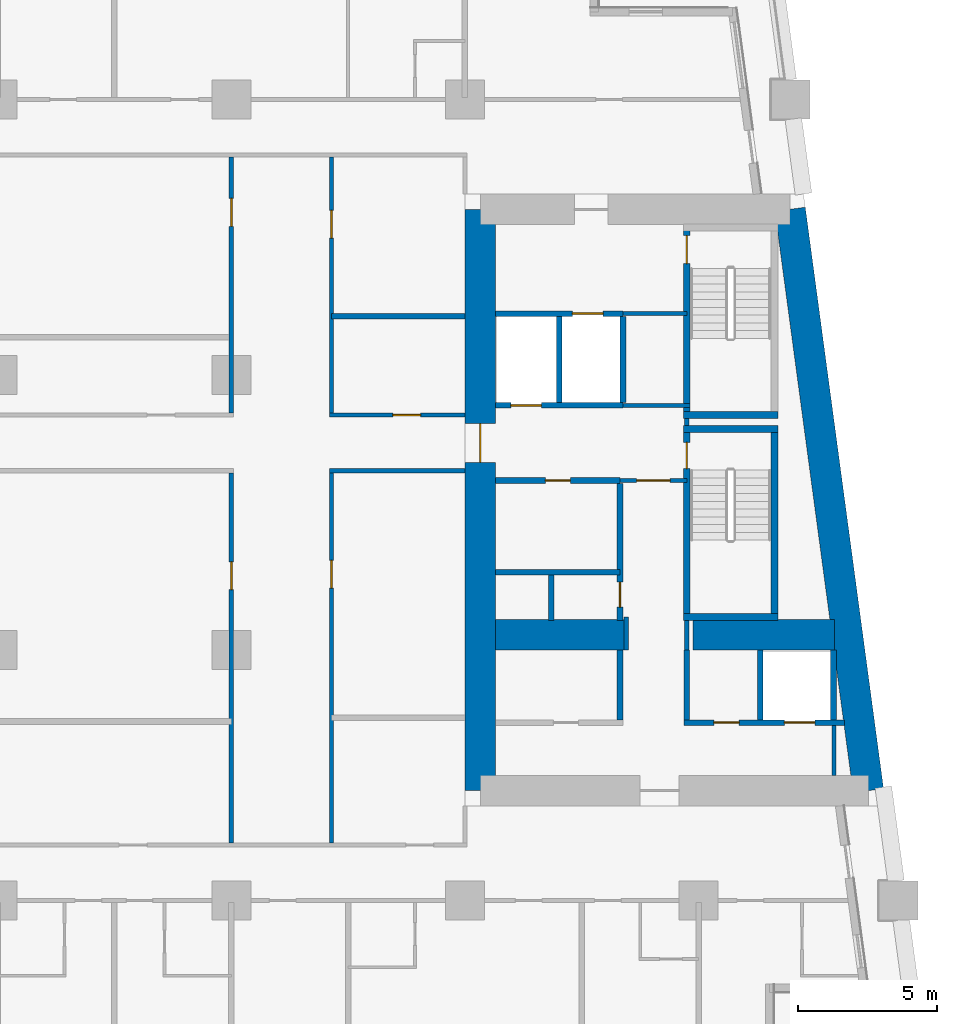
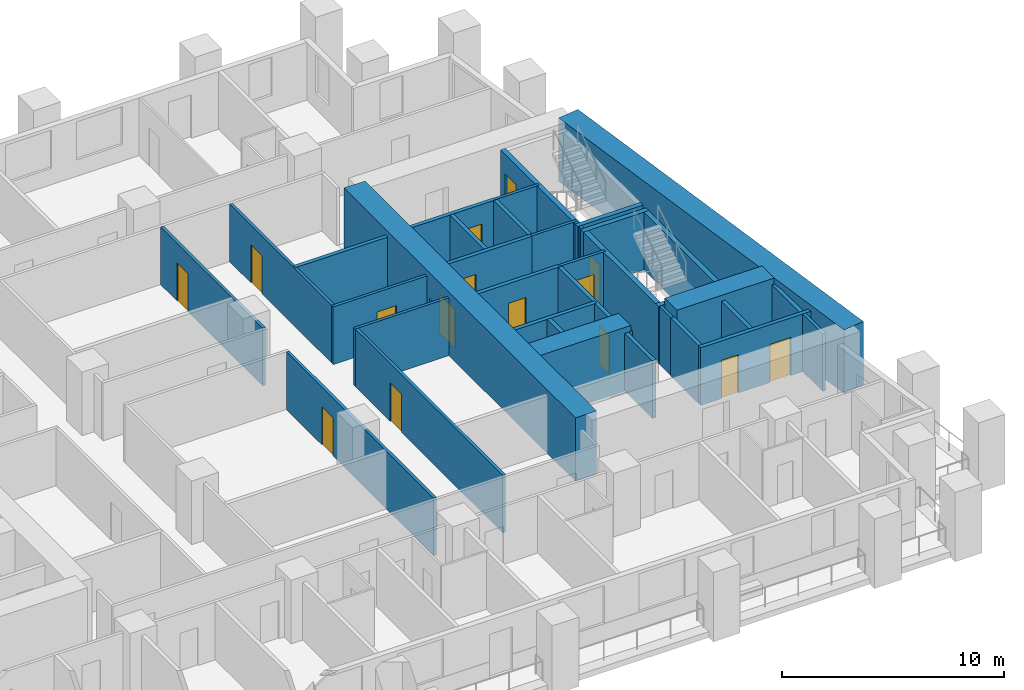
# One storey, part 5 of 12: 37 walls, 15 doors, 15 openings.
"""IFC4 building model written with IfcOpenShell, lengths in metres."""

from ifc_helpers import new_model, si_unit, direction, frame, frame_2d, origin, place, context, subcontext, project, spatial, rectangle, extrude, material, layer, layer_set, type_object, element, fill, save


model = new_model("IFC4")

# Units and contexts
model_context = context("Model", 3, precision=1e-05, world=origin(), true_north=direction((0.0, 1.0)))
body_context = subcontext(model_context, "Body", "Model", "MODEL_VIEW")
ifc_project = project(units=[si_unit("LENGTHUNIT", "METRE"), si_unit("AREAUNIT", "SQUARE_METRE"), si_unit("VOLUMEUNIT", "CUBIC_METRE"), si_unit("PLANEANGLEUNIT", "RADIAN"), si_unit("MASSUNIT", "GRAM", prefix="KILO")], contexts=[model_context])

# Site, building, storey
site_placement = place(None, origin())
site = spatial("IfcSite", under=ifc_project, at=site_placement, CompositionType="ELEMENT")
building_placement = place(site_placement, origin())
building = spatial("IfcBuilding", under=site, at=building_placement, Name="Candeia Pilgrim Tower and Theatre", CompositionType="ELEMENT")
storey_placement = place(building_placement, frame((0.0, 0.0, 39.0)))
storey = spatial("IfcBuildingStorey", under=building, at=storey_placement, Name="L06", CompositionType="ELEMENT", Elevation=39.0)

# Wall
ifc_material_1 = material(Name="Concrete C80/95", Category="concrete")
ifc_layer_1 = layer(ifc_material_1, 1.10009765625)
ifc_layer_set_1 = layer_set([ifc_layer_1], Name="Core wall 1100 C80/95")
wall_type_1 = type_object("IfcWallType", Name="Core wall 1100 C80/95", PredefinedType="SHEAR", material=ifc_layer_set_1)
wall_1_placement = place(storey_placement, frame((137.688232421875, 131.85009765625, 0.0), z_axis=(0.0, 0.0, 1.0), x_axis=(0.133411793472, -0.991060691059, 0.0)))
element("IfcWall", 1, at=wall_1_placement, inside=storey, type_object=wall_type_1, Name="Core wall E2", PredefinedType="SHEAR", context=body_context, shape_type="SweptSolid", body=[
    extrude(rectangle(XDim=21.088623046875, YDim=1.10009765625, at=frame_2d((10.54443359375, 0.0))), origin(), (0.0, 0.0, 1.0), 3.5),
])

# Wall, opening, door
wall_2_placement = place(storey_placement, frame((126.550048828125, 110.949951171875, 0.0), z_axis=(0.0, 0.0, 1.0), x_axis=(0.0, 1.0, 0.0)))
wall_2 = element("IfcWall", 2, at=wall_2_placement, inside=storey, type_object=wall_type_1, Name="Core wall E4", PredefinedType="SHEAR", context=body_context, shape_type="SweptSolid", body=[
    extrude(rectangle(XDim=20.900146484375, YDim=1.10009765625, at=frame_2d((10.4501953125, 0.0))), origin(), (0.0, 0.0, 1.0), 3.5),
])
opening_1_placement = place(wall_2_placement, frame((11.800048828125, 0.0, 0.0)))
opening_1 = element("IfcOpeningElement", 3, at=opening_1_placement, cuts=wall_2, Name="Opening L06-D058", PredefinedType="OPENING", context=body_context, shape_type="SweptSolid", body=[
    extrude(rectangle(XDim=1.39990234375, YDim=2.10009765625, at=frame_2d((0.699951171875, 1.050048828125))), frame((0.0, 0.56005859375, 0.0), z_axis=(0.0, -1.0, 0.0), x_axis=(1.0, 0.0, 0.0)), (0.0, 0.0, 1.0), 1.1201171875),
])
ifc_material_2 = material(Name="Steel fire door set", Category="steel")
door_type_1 = type_object("IfcDoorType", Name="D-1400-FD60", OperationType="NOTDEFINED", PredefinedType="DOOR", material=ifc_material_2)
door_1_placement = place(opening_1_placement, origin())
door_1 = element("IfcDoor", 4, at=door_1_placement, inside=storey, type_object=door_type_1, Name="Door L06-D058", OperationType="SINGLE_SWING_RIGHT", OverallHeight=2.10009765625, OverallWidth=1.39990234375, PredefinedType="DOOR", context=body_context, shape_type="SweptSolid", body=[
    extrude(rectangle(XDim=1.39990234375, YDim=2.10009765625, at=frame_2d((0.699951171875, 1.050048828125))), frame((0.0, 0.02490234375, 0.0), z_axis=(0.0, -1.0, 0.0), x_axis=(1.0, 0.0, 0.0)), (0.0, 0.0, 1.0), 0.050048828125),
])
fill(opening_1, door_1)

# Walls
wall_3_placement = place(storey_placement, frame((127.10009765625, 116.550048828125, 0.0), z_axis=(0.0, 0.0, 1.0), x_axis=(1.0, 0.0, 0.0)))
element("IfcWall", 5, at=wall_3_placement, inside=storey, type_object=wall_type_1, Name="Core wall E5", PredefinedType="SHEAR", context=body_context, shape_type="SweptSolid", body=[
    extrude(rectangle(XDim=4.699951171875, YDim=1.10009765625, at=frame_2d((2.35009765625, 0.0))), origin(), (0.0, 0.0, 1.0), 3.5),
])
wall_4_placement = place(storey_placement, frame((134.199951171875, 116.550048828125, 0.0), z_axis=(0.0, 0.0, 1.0), x_axis=(1.0, 0.0, 0.0)))
element("IfcWall", 6, at=wall_4_placement, inside=storey, type_object=wall_type_1, Name="Core wall E6", PredefinedType="SHEAR", context=body_context, shape_type="SweptSolid", body=[
    extrude(rectangle(XDim=5.076904296875, YDim=1.10009765625, at=frame_2d((2.53857421875, 0.0))), origin(), (0.0, 0.0, 1.0), 3.5),
])

# Wall, opening, door
ifc_material_3 = material(Name="Gypsum board partition on steel studs", Category="steel")
ifc_layer_2 = layer(ifc_material_3, 0.14990234375)
ifc_layer_set_2 = layer_set([ifc_layer_2], Name="PW-150 lobby wall")
wall_type_2 = type_object("IfcWallType", Name="PW-150 lobby wall", PredefinedType="PARTITIONING", material=ifc_layer_set_2)
wall_5_placement = place(storey_placement, frame((131.572998046875, 122.10009765625, 0.0), z_axis=(0.0, 0.0, 1.0), x_axis=(1.0, 0.0, 0.0)))
wall_5 = element("IfcWall", 7, at=wall_5_placement, inside=storey, type_object=wall_type_2, Name="Lobby wall L06-023", PredefinedType="PARTITIONING", context=body_context, shape_type="SweptSolid", body=[
    extrude(rectangle(XDim=2.39990234375, YDim=0.14990234375, at=frame_2d((1.199951171875, 0.0))), origin(), (0.0, 0.0, 1.0), 3.179931640625),
])
opening_2_placement = place(wall_5_placement, frame((0.60009765625, 0.0, 0.0)))
opening_2 = element("IfcOpeningElement", 8, at=opening_2_placement, cuts=wall_5, Name="Opening L06-D007", PredefinedType="OPENING", context=body_context, shape_type="SweptSolid", body=[
    extrude(rectangle(XDim=1.199951171875, YDim=2.10009765625, at=frame_2d((0.60009765625, 1.050048828125))), frame((0.0, 0.0849609375, 0.0), z_axis=(0.0, -1.0, 0.0), x_axis=(1.0, 0.0, 0.0)), (0.0, 0.0, 1.0), 0.169921875),
])
door_type_2 = type_object("IfcDoorType", Name="D-1200-FD60", OperationType="NOTDEFINED", PredefinedType="DOOR", material=ifc_material_2)
door_2_placement = place(opening_2_placement, origin())
door_2 = element("IfcDoor", 9, at=door_2_placement, inside=storey, type_object=door_type_2, Name="Door L06-D007", OperationType="SINGLE_SWING_RIGHT", OverallHeight=2.10009765625, OverallWidth=1.199951171875, PredefinedType="DOOR", context=body_context, shape_type="SweptSolid", body=[
    extrude(rectangle(XDim=1.199951171875, YDim=2.10009765625, at=frame_2d((0.60009765625, 1.050048828125))), frame((0.0, 0.02490234375, 0.0), z_axis=(0.0, -1.0, 0.0), x_axis=(1.0, 0.0, 0.0)), (0.0, 0.0, 1.0), 0.050048828125),
])
fill(opening_2, door_2)

# Walls
wall_6_placement = place(storey_placement, frame((131.681884765625, 124.800048828125, 0.0), z_axis=(0.0, 0.0, 1.0), x_axis=(1.0, 0.0, 0.0)))
element("IfcWall", 10, at=wall_6_placement, inside=storey, type_object=wall_type_2, Name="Lobby wall L06-036", PredefinedType="PARTITIONING", context=body_context, shape_type="SweptSolid", body=[
    extrude(rectangle(XDim=2.416015625, YDim=0.14990234375, at=frame_2d((1.2080078125, 0.0))), origin(), (0.0, 0.0, 1.0), 3.179931640625),
])
wall_7_placement = place(storey_placement, frame((131.681884765625, 128.10009765625, 0.0), z_axis=(0.0, 0.0, 1.0), x_axis=(1.0, 0.0, 0.0)))
element("IfcWall", 11, at=wall_7_placement, inside=storey, type_object=wall_type_2, Name="Lobby wall L06-042", PredefinedType="PARTITIONING", context=body_context, shape_type="SweptSolid", body=[
    extrude(rectangle(XDim=2.291015625, YDim=0.14990234375, at=frame_2d((1.1455078125, 0.0))), origin(), (0.0, 0.0, 1.0), 3.179931640625),
])
wall_8_placement = place(storey_placement, frame((131.800048828125, 116.0, 0.0), z_axis=(0.0, 0.0, 1.0), x_axis=(0.0, 1.0, 0.0)))
element("IfcWall", 12, at=wall_8_placement, inside=storey, type_object=wall_type_2, Name="Lobby wall L06-106", PredefinedType="PARTITIONING", context=body_context, shape_type="SweptSolid", body=[
    extrude(rectangle(XDim=1.199951171875, YDim=0.14990234375, at=frame_2d((0.60009765625, 0.0))), origin(), (0.0, 0.0, 1.0), 3.179931640625),
])
wall_9_placement = place(storey_placement, frame((133.972900390625, 116.0, 0.0), z_axis=(0.0, 0.0, 1.0), x_axis=(0.0, 1.0, 0.0)))
element("IfcWall", 13, at=wall_9_placement, inside=storey, type_object=wall_type_2, Name="Lobby wall L06-109", PredefinedType="PARTITIONING", context=body_context, shape_type="SweptSolid", body=[
    extrude(rectangle(XDim=1.070068359375, YDim=0.14990234375, at=frame_2d((0.53515625, 0.0))), origin(), (0.0, 0.0, 1.0), 3.179931640625),
])
wall_10_placement = place(storey_placement, frame((133.972900390625, 124.074951171875, 0.0), z_axis=(0.0, 0.0, 1.0), x_axis=(0.0, 1.0, 0.0)))
element("IfcWall", 14, at=wall_10_placement, inside=storey, type_object=wall_type_2, Name="Lobby wall L06-110", PredefinedType="PARTITIONING", context=body_context, shape_type="SweptSolid", body=[
    extrude(rectangle(XDim=0.25, YDim=0.14990234375, at=frame_2d((0.125, 0.0))), origin(), (0.0, 0.0, 1.0), 3.179931640625),
])
wall_11_placement = place(storey_placement, frame((139.27001953125, 111.5, 0.0), z_axis=(0.0, 0.0, 1.0), x_axis=(0.0, 1.0, 0.0)))
element("IfcWall", 15, at=wall_11_placement, inside=storey, type_object=wall_type_2, Name="Lobby wall L06-119", PredefinedType="PARTITIONING", context=body_context, shape_type="SweptSolid", body=[
    extrude(rectangle(XDim=1.800048828125, YDim=0.14990234375, at=frame_2d((0.89990234375, 0.0))), origin(), (0.0, 0.0, 1.0), 3.179931640625),
])
ifc_layer_3 = layer(ifc_material_3, 0.14990234375)
ifc_layer_set_3 = layer_set([ifc_layer_3], Name="PW-150 unit wall")
wall_type_3 = type_object("IfcWallType", Name="PW-150 unit wall", PredefinedType="PARTITIONING", material=ifc_layer_set_3)
wall_12_placement = place(storey_placement, frame((121.125, 122.449951171875, 0.0), z_axis=(0.0, 0.0, 1.0), x_axis=(1.0, 0.0, 0.0)))
element("IfcWall", 16, at=wall_12_placement, inside=storey, type_object=wall_type_3, Name="Unit wall L06-026", PredefinedType="PARTITIONING", context=body_context, shape_type="SweptSolid", body=[
    extrude(rectangle(XDim=4.875, YDim=0.14990234375, at=frame_2d((2.4375, 0.0))), origin(), (0.0, 0.0, 1.0), 3.179931640625),
])

# Wall, opening, door
wall_13_placement = place(storey_placement, frame((121.125, 124.449951171875, 0.0), z_axis=(0.0, 0.0, 1.0), x_axis=(1.0, 0.0, 0.0)))
wall_13 = element("IfcWall", 17, at=wall_13_placement, inside=storey, type_object=wall_type_3, Name="Unit wall L06-033", PredefinedType="PARTITIONING", context=body_context, shape_type="SweptSolid", body=[
    extrude(rectangle(XDim=4.875, YDim=0.14990234375, at=frame_2d((2.4375, 0.0))), origin(), (0.0, 0.0, 1.0), 3.179931640625),
])
opening_3_placement = place(wall_13_placement, frame((2.284912109375, 0.0, 0.0)))
opening_3 = element("IfcOpeningElement", 18, at=opening_3_placement, cuts=wall_13, Name="Opening L06-D051", PredefinedType="OPENING", context=body_context, shape_type="SweptSolid", body=[
    extrude(rectangle(XDim=1.0, YDim=2.10009765625, at=frame_2d((0.5, 1.050048828125))), frame((0.0, 0.0849609375, 0.0), z_axis=(0.0, -1.0, 0.0), x_axis=(1.0, 0.0, 0.0)), (0.0, 0.0, 1.0), 0.169921875),
])
door_type_3 = type_object("IfcDoorType", Name="D-1000-FD30S", OperationType="NOTDEFINED", PredefinedType="DOOR", material=ifc_material_2)
door_3_placement = place(opening_3_placement, origin())
door_3 = element("IfcDoor", 19, at=door_3_placement, inside=storey, type_object=door_type_3, Name="Door L06-D051", OperationType="SINGLE_SWING_LEFT", OverallHeight=2.10009765625, OverallWidth=1.0, PredefinedType="DOOR", context=body_context, shape_type="SweptSolid", body=[
    extrude(rectangle(XDim=1.0, YDim=2.10009765625, at=frame_2d((0.5, 1.050048828125))), frame((0.0, 0.02490234375, 0.0), z_axis=(0.0, -1.0, 0.0), x_axis=(1.0, 0.0, 0.0)), (0.0, 0.0, 1.0), 0.050048828125),
])
fill(opening_3, door_3)

wall_14_placement = place(storey_placement, frame((117.60009765625, 109.074951171875, 0.0), z_axis=(0.0, 0.0, 1.0), x_axis=(0.0, 1.0, 0.0)))
wall_14 = element("IfcWall", 20, at=wall_14_placement, inside=storey, type_object=wall_type_3, Name="Unit wall L06-089", PredefinedType="PARTITIONING", context=body_context, shape_type="SweptSolid", body=[
    extrude(rectangle(XDim=13.300048828125, YDim=0.14990234375, at=frame_2d((6.64990234375, 0.0))), origin(), (0.0, 0.0, 1.0), 3.179931640625),
])
opening_4_placement = place(wall_14_placement, frame((9.10009765625, 0.0, 0.0)))
opening_4 = element("IfcOpeningElement", 21, at=opening_4_placement, cuts=wall_14, Name="Opening L06-D046", PredefinedType="OPENING", context=body_context, shape_type="SweptSolid", body=[
    extrude(rectangle(XDim=1.0, YDim=2.10009765625, at=frame_2d((0.5, 1.050048828125))), frame((0.0, 0.0849609375, 0.0), z_axis=(0.0, -1.0, 0.0), x_axis=(1.0, 0.0, 0.0)), (0.0, 0.0, 1.0), 0.169921875),
])
door_4_placement = place(opening_4_placement, origin())
door_4 = element("IfcDoor", 22, at=door_4_placement, inside=storey, type_object=door_type_3, Name="Door L06-D046", OperationType="SINGLE_SWING_RIGHT", OverallHeight=2.10009765625, OverallWidth=1.0, PredefinedType="DOOR", context=body_context, shape_type="SweptSolid", body=[
    extrude(rectangle(XDim=1.0, YDim=2.10009765625, at=frame_2d((0.5, 1.050048828125))), frame((0.0, 0.02490234375, 0.0), z_axis=(0.0, -1.0, 0.0), x_axis=(1.0, 0.0, 0.0)), (0.0, 0.0, 1.0), 0.050048828125),
])
fill(opening_4, door_4)

wall_15_placement = place(storey_placement, frame((117.60009765625, 124.52490234375, 0.0), z_axis=(0.0, 0.0, 1.0), x_axis=(0.0, 1.0, 0.0)))
wall_15 = element("IfcWall", 23, at=wall_15_placement, inside=storey, type_object=wall_type_3, Name="Unit wall L06-090", PredefinedType="PARTITIONING", context=body_context, shape_type="SweptSolid", body=[
    extrude(rectangle(XDim=9.2001953125, YDim=0.14990234375, at=frame_2d((4.60009765625, 0.0))), origin(), (0.0, 0.0, 1.0), 3.179931640625),
])
opening_5_placement = place(wall_15_placement, frame((6.714111328125, 0.0, 0.0)))
opening_5 = element("IfcOpeningElement", 24, at=opening_5_placement, cuts=wall_15, Name="Opening L06-D048", PredefinedType="OPENING", context=body_context, shape_type="SweptSolid", body=[
    extrude(rectangle(XDim=1.0, YDim=2.10009765625, at=frame_2d((0.5, 1.050048828125))), frame((0.0, 0.0849609375, 0.0), z_axis=(0.0, -1.0, 0.0), x_axis=(1.0, 0.0, 0.0)), (0.0, 0.0, 1.0), 0.169921875),
])
door_5_placement = place(opening_5_placement, origin())
door_5 = element("IfcDoor", 25, at=door_5_placement, inside=storey, type_object=door_type_3, Name="Door L06-D048", OperationType="SINGLE_SWING_RIGHT", OverallHeight=2.10009765625, OverallWidth=1.0, PredefinedType="DOOR", context=body_context, shape_type="SweptSolid", body=[
    extrude(rectangle(XDim=1.0, YDim=2.10009765625, at=frame_2d((0.5, 1.050048828125))), frame((0.0, 0.02490234375, 0.0), z_axis=(0.0, -1.0, 0.0), x_axis=(1.0, 0.0, 0.0)), (0.0, 0.0, 1.0), 0.050048828125),
])
fill(opening_5, door_5)

wall_16_placement = place(storey_placement, frame((121.199951171875, 109.074951171875, 0.0), z_axis=(0.0, 0.0, 1.0), x_axis=(0.0, 1.0, 0.0)))
wall_16 = element("IfcWall", 26, at=wall_16_placement, inside=storey, type_object=wall_type_3, Name="Unit wall L06-091", PredefinedType="PARTITIONING", context=body_context, shape_type="SweptSolid", body=[
    extrude(rectangle(XDim=13.300048828125, YDim=0.14990234375, at=frame_2d((6.64990234375, 0.0))), origin(), (0.0, 0.0, 1.0), 3.179931640625),
])
opening_6_placement = place(wall_16_placement, frame((9.154052734375, 0.0, 0.0)))
opening_6 = element("IfcOpeningElement", 27, at=opening_6_placement, cuts=wall_16, Name="Opening L06-D050", PredefinedType="OPENING", context=body_context, shape_type="SweptSolid", body=[
    extrude(rectangle(XDim=1.0, YDim=2.10009765625, at=frame_2d((0.5, 1.050048828125))), frame((0.0, 0.0849609375, 0.0), z_axis=(0.0, -1.0, 0.0), x_axis=(1.0, 0.0, 0.0)), (0.0, 0.0, 1.0), 0.169921875),
])
door_6_placement = place(opening_6_placement, origin())
door_6 = element("IfcDoor", 28, at=door_6_placement, inside=storey, type_object=door_type_3, Name="Door L06-D050", OperationType="SINGLE_SWING_RIGHT", OverallHeight=2.10009765625, OverallWidth=1.0, PredefinedType="DOOR", context=body_context, shape_type="SweptSolid", body=[
    extrude(rectangle(XDim=1.0, YDim=2.10009765625, at=frame_2d((0.5, 1.050048828125))), frame((0.0, 0.02490234375, 0.0), z_axis=(0.0, -1.0, 0.0), x_axis=(1.0, 0.0, 0.0)), (0.0, 0.0, 1.0), 0.050048828125),
])
fill(opening_6, door_6)

wall_17_placement = place(storey_placement, frame((121.199951171875, 124.52490234375, 0.0), z_axis=(0.0, 0.0, 1.0), x_axis=(0.0, 1.0, 0.0)))
wall_17 = element("IfcWall", 29, at=wall_17_placement, inside=storey, type_object=wall_type_3, Name="Unit wall L06-092", PredefinedType="PARTITIONING", context=body_context, shape_type="SweptSolid", body=[
    extrude(rectangle(XDim=9.2001953125, YDim=0.14990234375, at=frame_2d((4.60009765625, 0.0))), origin(), (0.0, 0.0, 1.0), 3.179931640625),
])
opening_7_placement = place(wall_17_placement, frame((6.285888671875, 0.0, 0.0)))
opening_7 = element("IfcOpeningElement", 30, at=opening_7_placement, cuts=wall_17, Name="Opening L06-D052", PredefinedType="OPENING", context=body_context, shape_type="SweptSolid", body=[
    extrude(rectangle(XDim=1.0, YDim=2.10009765625, at=frame_2d((0.5, 1.050048828125))), frame((0.0, 0.0849609375, 0.0), z_axis=(0.0, -1.0, 0.0), x_axis=(1.0, 0.0, 0.0)), (0.0, 0.0, 1.0), 0.169921875),
])
door_7_placement = place(opening_7_placement, origin())
door_7 = element("IfcDoor", 31, at=door_7_placement, inside=storey, type_object=door_type_3, Name="Door L06-D052", OperationType="SINGLE_SWING_RIGHT", OverallHeight=2.10009765625, OverallWidth=1.0, PredefinedType="DOOR", context=body_context, shape_type="SweptSolid", body=[
    extrude(rectangle(XDim=1.0, YDim=2.10009765625, at=frame_2d((0.5, 1.050048828125))), frame((0.0, 0.02490234375, 0.0), z_axis=(0.0, -1.0, 0.0), x_axis=(1.0, 0.0, 0.0)), (0.0, 0.0, 1.0), 0.050048828125),
])
fill(opening_7, door_7)

# Wall
ifc_layer_4 = layer(ifc_material_3, 0.199951171875)
ifc_layer_set_4 = layer_set([ifc_layer_4], Name="PW-200 party wall")
wall_type_4 = type_object("IfcWallType", Name="PW-200 party wall", PredefinedType="PARTITIONING", material=ifc_layer_set_4)
wall_18_placement = place(storey_placement, frame((121.199951171875, 128.0029296875, 0.0), z_axis=(0.0, 0.0, 1.0), x_axis=(1.0, 0.0, 0.0)))
element("IfcWall", 32, at=wall_18_placement, inside=storey, type_object=wall_type_4, Name="Party wall L06-039", PredefinedType="PARTITIONING", context=body_context, shape_type="SweptSolid", body=[
    extrude(rectangle(XDim=4.800048828125, YDim=0.199951171875, at=frame_2d((2.39990234375, 0.0))), origin(), (0.0, 0.0, 1.0), 3.179931640625),
])

# Wall, openings, doors
ifc_material_4 = material(Name="Concrete C40/50", Category="concrete")
ifc_layer_5 = layer(ifc_material_4, 0.199951171875)
ifc_layer_set_5 = layer_set([ifc_layer_5], Name="SW-200 shaft wall")
wall_type_5 = type_object("IfcWallType", Name="SW-200 shaft wall", PredefinedType="PARTITIONING", material=ifc_layer_set_5)
wall_19_placement = place(storey_placement, frame((133.873046875, 113.39990234375, 0.0), z_axis=(0.0, 0.0, 1.0), x_axis=(1.0, 0.0, 0.0)))
wall_19 = element("IfcWall", 33, at=wall_19_placement, inside=storey, type_object=wall_type_5, Name="Shaft wall L06-013", PredefinedType="PARTITIONING", context=body_context, shape_type="SweptSolid", body=[
    extrude(rectangle(XDim=5.77392578125, YDim=0.199951171875, at=frame_2d((2.886962890625, 0.0))), origin(), (0.0, 0.0, 1.0), 3.179931640625),
])
opening_8_placement = place(wall_19_placement, frame((3.60791015625, 0.0, 0.0)))
opening_8 = element("IfcOpeningElement", 34, at=opening_8_placement, cuts=wall_19, Name="Opening L06-LD08", PredefinedType="OPENING", context=body_context, shape_type="SweptSolid", body=[
    extrude(rectangle(XDim=1.10009765625, YDim=2.10009765625, at=frame_2d((0.550048828125, 1.050048828125))), frame((0.0, 0.10986328125, 0.0), z_axis=(0.0, -1.0, 0.0), x_axis=(1.0, 0.0, 0.0)), (0.0, 0.0, 1.0), 0.219970703125),
])
opening_9_placement = place(wall_19_placement, frame((1.0791015625, 0.0, 0.0)))
opening_9 = element("IfcOpeningElement", 35, at=opening_9_placement, cuts=wall_19, Name="Opening L06-D012", PredefinedType="OPENING", context=body_context, shape_type="SweptSolid", body=[
    extrude(rectangle(XDim=0.89990234375, YDim=2.10009765625, at=frame_2d((0.449951171875, 1.050048828125))), frame((0.0, 0.10986328125, 0.0), z_axis=(0.0, -1.0, 0.0), x_axis=(1.0, 0.0, 0.0)), (0.0, 0.0, 1.0), 0.219970703125),
])
door_type_4 = type_object("IfcDoorType", Name="D-900-FD60", OperationType="NOTDEFINED", PredefinedType="DOOR", material=ifc_material_2)
door_8_placement = place(opening_9_placement, origin())
door_8 = element("IfcDoor", 36, at=door_8_placement, inside=storey, type_object=door_type_4, Name="Door L06-D012", OperationType="SINGLE_SWING_RIGHT", OverallHeight=2.10009765625, OverallWidth=0.89990234375, PredefinedType="DOOR", context=body_context, shape_type="SweptSolid", body=[
    extrude(rectangle(XDim=0.89990234375, YDim=2.10009765625, at=frame_2d((0.449951171875, 1.050048828125))), frame((0.0, 0.02490234375, 0.0), z_axis=(0.0, -1.0, 0.0), x_axis=(1.0, 0.0, 0.0)), (0.0, 0.0, 1.0), 0.050048828125),
])
fill(opening_9, door_8)
ifc_material_5 = material(Name="Glazed aluminium landing door", Category="aluminium")
door_type_5 = type_object("IfcDoorType", Name="LD-1100-EI120", OperationType="SLIDING_TO_LEFT", PredefinedType="DOOR", material=ifc_material_5)
door_9_placement = place(opening_8_placement, origin())
door_9 = element("IfcDoor", 37, at=door_9_placement, inside=storey, type_object=door_type_5, Name="Landing door 08 L06", OperationType="SLIDING_TO_LEFT", OverallHeight=2.10009765625, OverallWidth=1.10009765625, PredefinedType="DOOR", context=body_context, shape_type="SweptSolid", body=[
    extrude(rectangle(XDim=1.10009765625, YDim=2.10009765625, at=frame_2d((0.550048828125, 1.050048828125))), frame((0.0, 0.02490234375, 0.0), z_axis=(0.0, -1.0, 0.0), x_axis=(1.0, 0.0, 0.0)), (0.0, 0.0, 1.0), 0.050048828125),
])
fill(opening_8, door_9)

# Wall
wall_20_placement = place(storey_placement, frame((127.10009765625, 118.800048828125, 0.0), z_axis=(0.0, 0.0, 1.0), x_axis=(1.0, 0.0, 0.0)))
element("IfcWall", 38, at=wall_20_placement, inside=storey, type_object=wall_type_5, Name="Shaft wall L06-019", PredefinedType="PARTITIONING", context=body_context, shape_type="SweptSolid", body=[
    extrude(rectangle(XDim=4.472900390625, YDim=0.199951171875, at=frame_2d((2.236328125, 0.0))), origin(), (0.0, 0.0, 1.0), 3.179931640625),
])

# Wall, opening, door
wall_21_placement = place(storey_placement, frame((127.10009765625, 122.10009765625, 0.0), z_axis=(0.0, 0.0, 1.0), x_axis=(1.0, 0.0, 0.0)))
wall_21 = element("IfcWall", 39, at=wall_21_placement, inside=storey, type_object=wall_type_5, Name="Shaft wall L06-021", PredefinedType="PARTITIONING", context=body_context, shape_type="SweptSolid", body=[
    extrude(rectangle(XDim=4.472900390625, YDim=0.199951171875, at=frame_2d((2.236328125, 0.0))), origin(), (0.0, 0.0, 1.0), 3.179931640625),
])
opening_10_placement = place(wall_21_placement, frame((1.787109375, 0.0, 0.0)))
opening_10 = element("IfcOpeningElement", 40, at=opening_10_placement, cuts=wall_21, Name="Opening L06-D008", PredefinedType="OPENING", context=body_context, shape_type="SweptSolid", body=[
    extrude(rectangle(XDim=0.89990234375, YDim=2.10009765625, at=frame_2d((0.449951171875, 1.050048828125))), frame((0.0, 0.10986328125, 0.0), z_axis=(0.0, -1.0, 0.0), x_axis=(1.0, 0.0, 0.0)), (0.0, 0.0, 1.0), 0.219970703125),
])
door_10_placement = place(opening_10_placement, origin())
door_10 = element("IfcDoor", 41, at=door_10_placement, inside=storey, type_object=door_type_4, Name="Door L06-D008", OperationType="SINGLE_SWING_LEFT", OverallHeight=2.10009765625, OverallWidth=0.89990234375, PredefinedType="DOOR", context=body_context, shape_type="SweptSolid", body=[
    extrude(rectangle(XDim=0.89990234375, YDim=2.10009765625, at=frame_2d((0.449951171875, 1.050048828125))), frame((0.0, 0.02490234375, 0.0), z_axis=(0.0, -1.0, 0.0), x_axis=(1.0, 0.0, 0.0)), (0.0, 0.0, 1.0), 0.050048828125),
])
fill(opening_10, door_10)

wall_22_placement = place(storey_placement, frame((127.10009765625, 124.800048828125, 0.0), z_axis=(0.0, 0.0, 1.0), x_axis=(1.0, 0.0, 0.0)))
wall_22 = element("IfcWall", 42, at=wall_22_placement, inside=storey, type_object=wall_type_5, Name="Shaft wall L06-035", PredefinedType="PARTITIONING", context=body_context, shape_type="SweptSolid", body=[
    extrude(rectangle(XDim=4.581787109375, YDim=0.199951171875, at=frame_2d((2.291015625, 0.0))), origin(), (0.0, 0.0, 1.0), 3.179931640625),
])
opening_11_placement = place(wall_22_placement, frame((0.5458984375, 0.0, 0.0)))
opening_11 = element("IfcOpeningElement", 43, at=opening_11_placement, cuts=wall_22, Name="Opening L06-LD07", PredefinedType="OPENING", context=body_context, shape_type="SweptSolid", body=[
    extrude(rectangle(XDim=1.10009765625, YDim=2.10009765625, at=frame_2d((0.550048828125, 1.050048828125))), frame((0.0, 0.10986328125, 0.0), z_axis=(0.0, -1.0, 0.0), x_axis=(1.0, 0.0, 0.0)), (0.0, 0.0, 1.0), 0.219970703125),
])
door_11_placement = place(opening_11_placement, origin())
door_11 = element("IfcDoor", 44, at=door_11_placement, inside=storey, type_object=door_type_5, Name="Landing door 07 L06", OperationType="SLIDING_TO_LEFT", OverallHeight=2.10009765625, OverallWidth=1.10009765625, PredefinedType="DOOR", context=body_context, shape_type="SweptSolid", body=[
    extrude(rectangle(XDim=1.10009765625, YDim=2.10009765625, at=frame_2d((0.550048828125, 1.050048828125))), frame((0.0, 0.02490234375, 0.0), z_axis=(0.0, -1.0, 0.0), x_axis=(1.0, 0.0, 0.0)), (0.0, 0.0, 1.0), 0.050048828125),
])
fill(opening_11, door_11)

wall_23_placement = place(storey_placement, frame((127.10009765625, 128.10009765625, 0.0), z_axis=(0.0, 0.0, 1.0), x_axis=(1.0, 0.0, 0.0)))
wall_23 = element("IfcWall", 45, at=wall_23_placement, inside=storey, type_object=wall_type_5, Name="Shaft wall L06-041", PredefinedType="PARTITIONING", context=body_context, shape_type="SweptSolid", body=[
    extrude(rectangle(XDim=4.581787109375, YDim=0.199951171875, at=frame_2d((2.291015625, 0.0))), origin(), (0.0, 0.0, 1.0), 3.179931640625),
])
opening_12_placement = place(wall_23_placement, frame((2.763916015625, 0.0, 0.0)))
opening_12 = element("IfcOpeningElement", 46, at=opening_12_placement, cuts=wall_23, Name="Opening L06-LD06", PredefinedType="OPENING", context=body_context, shape_type="SweptSolid", body=[
    extrude(rectangle(XDim=1.10009765625, YDim=2.10009765625, at=frame_2d((0.550048828125, 1.050048828125))), frame((0.0, 0.10986328125, 0.0), z_axis=(0.0, -1.0, 0.0), x_axis=(1.0, 0.0, 0.0)), (0.0, 0.0, 1.0), 0.219970703125),
])
door_12_placement = place(opening_12_placement, origin())
door_12 = element("IfcDoor", 47, at=door_12_placement, inside=storey, type_object=door_type_5, Name="Landing door 06 L06", OperationType="SLIDING_TO_LEFT", OverallHeight=2.10009765625, OverallWidth=1.10009765625, PredefinedType="DOOR", context=body_context, shape_type="SweptSolid", body=[
    extrude(rectangle(XDim=1.10009765625, YDim=2.10009765625, at=frame_2d((0.550048828125, 1.050048828125))), frame((0.0, 0.02490234375, 0.0), z_axis=(0.0, -1.0, 0.0), x_axis=(1.0, 0.0, 0.0)), (0.0, 0.0, 1.0), 0.050048828125),
])
fill(opening_12, door_12)

# Walls
wall_24_placement = place(storey_placement, frame((129.10009765625, 117.070068359375, 0.0), z_axis=(0.0, 0.0, 1.0), x_axis=(0.0, 1.0, 0.0)))
element("IfcWall", 48, at=wall_24_placement, inside=storey, type_object=wall_type_5, Name="Shaft wall L06-100", PredefinedType="PARTITIONING", context=body_context, shape_type="SweptSolid", body=[
    extrude(rectangle(XDim=1.6298828125, YDim=0.199951171875, at=frame_2d((0.81494140625, 0.0))), origin(), (0.0, 0.0, 1.0), 3.179931640625),
])
wall_25_placement = place(storey_placement, frame((129.39111328125, 124.89990234375, 0.0), z_axis=(0.0, 0.0, 1.0), x_axis=(0.0, 1.0, 0.0)))
element("IfcWall", 49, at=wall_25_placement, inside=storey, type_object=wall_type_5, Name="Shaft wall L06-101", PredefinedType="PARTITIONING", context=body_context, shape_type="SweptSolid", body=[
    extrude(rectangle(XDim=3.10009765625, YDim=0.199951171875, at=frame_2d((1.550048828125, 0.0))), origin(), (0.0, 0.0, 1.0), 3.179931640625),
])
wall_26_placement = place(storey_placement, frame((131.572998046875, 113.5, 0.0), z_axis=(0.0, 0.0, 1.0), x_axis=(0.0, 1.0, 0.0)))
element("IfcWall", 50, at=wall_26_placement, inside=storey, type_object=wall_type_5, Name="Shaft wall L06-103", PredefinedType="PARTITIONING", context=body_context, shape_type="SweptSolid", body=[
    extrude(rectangle(XDim=2.5, YDim=0.199951171875, at=frame_2d((1.25, 0.0))), origin(), (0.0, 0.0, 1.0), 3.179931640625),
])

# Wall, opening, door
wall_27_placement = place(storey_placement, frame((131.572998046875, 117.070068359375, 0.0), z_axis=(0.0, 0.0, 1.0), x_axis=(0.0, 1.0, 0.0)))
wall_27 = element("IfcWall", 51, at=wall_27_placement, inside=storey, type_object=wall_type_5, Name="Shaft wall L06-104", PredefinedType="PARTITIONING", context=body_context, shape_type="SweptSolid", body=[
    extrude(rectangle(XDim=4.929931640625, YDim=0.199951171875, at=frame_2d((2.46484375, 0.0))), origin(), (0.0, 0.0, 1.0), 3.179931640625),
])
opening_13_placement = place(wall_27_placement, frame((0.47998046875, 0.0, 0.0)))
opening_13 = element("IfcOpeningElement", 52, at=opening_13_placement, cuts=wall_27, Name="Opening L06-D011", PredefinedType="OPENING", context=body_context, shape_type="SweptSolid", body=[
    extrude(rectangle(XDim=0.89990234375, YDim=2.10009765625, at=frame_2d((0.449951171875, 1.050048828125))), frame((0.0, 0.10986328125, 0.0), z_axis=(0.0, -1.0, 0.0), x_axis=(1.0, 0.0, 0.0)), (0.0, 0.0, 1.0), 0.219970703125),
])
door_13_placement = place(opening_13_placement, origin())
door_13 = element("IfcDoor", 53, at=door_13_placement, inside=storey, type_object=door_type_4, Name="Door L06-D011", OperationType="SINGLE_SWING_RIGHT", OverallHeight=2.10009765625, OverallWidth=0.89990234375, PredefinedType="DOOR", context=body_context, shape_type="SweptSolid", body=[
    extrude(rectangle(XDim=0.89990234375, YDim=2.10009765625, at=frame_2d((0.449951171875, 1.050048828125))), frame((0.0, 0.02490234375, 0.0), z_axis=(0.0, -1.0, 0.0), x_axis=(1.0, 0.0, 0.0)), (0.0, 0.0, 1.0), 0.050048828125),
])
fill(opening_13, door_13)

# Walls
wall_28_placement = place(storey_placement, frame((131.681884765625, 124.89990234375, 0.0), z_axis=(0.0, 0.0, 1.0), x_axis=(0.0, 1.0, 0.0)))
element("IfcWall", 54, at=wall_28_placement, inside=storey, type_object=wall_type_5, Name="Shaft wall L06-105", PredefinedType="PARTITIONING", context=body_context, shape_type="SweptSolid", body=[
    extrude(rectangle(XDim=3.10009765625, YDim=0.199951171875, at=frame_2d((1.550048828125, 0.0))), origin(), (0.0, 0.0, 1.0), 3.179931640625),
])
for number, where, z_axis, x_axis, name in (
    (55, (133.972900390625, 113.5, 0.0), (0.0, 0.0, 1.0), (0.0, 1.0, 0.0), "Shaft wall L06-108"),
    (56, (136.62158203125, 113.5, 0.0), (0.0, 0.0, 1.0), (0.0, 1.0, 0.0), "Shaft wall L06-114"),
    (57, (139.247802734375, 113.5, 0.0), (0.0, 0.0, 1.0), (0.0, 1.0, 0.0), "Shaft wall L06-118"),
):
    element("IfcWall", number, at=place(storey_placement, frame(where, z_axis=z_axis, x_axis=x_axis)), inside=storey, type_object=wall_type_5, Name=name, PredefinedType="PARTITIONING", context=body_context, shape_type="SweptSolid", body=[
        extrude(rectangle(XDim=2.5, YDim=0.199951171875, at=frame_2d((1.25, 0.0))), origin(), (0.0, 0.0, 1.0), 3.179931640625),
    ])
ifc_layer_6 = layer(ifc_material_4, 0.25)
ifc_layer_set_6 = layer_set([ifc_layer_6], Name="SW-250 stair wall")
wall_type_6 = type_object("IfcWallType", Name="SW-250 stair wall", PredefinedType="PARTITIONING", material=ifc_layer_set_6)
for number, where, z_axis, x_axis, name in (
    (58, (133.847900390625, 117.199951171875, 0.0), (0.0, 0.0, 1.0), (1.0, 0.0, 0.0), "Stair wall L06-017"),
    (59, (133.847900390625, 123.949951171875, 0.0), (0.0, 0.0, 1.0), (1.0, 0.0, 0.0), "Stair wall L06-028"),
    (60, (133.847900390625, 124.449951171875, 0.0), (0.0, 0.0, 1.0), (1.0, 0.0, 0.0), "Stair wall L06-030"),
):
    element("IfcWall", number, at=place(storey_placement, frame(where, z_axis=z_axis, x_axis=x_axis)), inside=storey, type_object=wall_type_6, Name=name, PredefinedType="PARTITIONING", context=body_context, shape_type="SweptSolid", body=[
        extrude(rectangle(XDim=3.400146484375, YDim=0.25, at=frame_2d((1.7001953125, 0.0))), origin(), (0.0, 0.0, 1.0), 3.179931640625),
    ])

# Wall, opening, door
wall_29_placement = place(storey_placement, frame((133.972900390625, 117.070068359375, 0.0), z_axis=(0.0, 0.0, 1.0), x_axis=(0.0, 1.0, 0.0)))
wall_29 = element("IfcWall", 61, at=wall_29_placement, inside=storey, type_object=wall_type_6, Name="Stair wall L06-111", PredefinedType="PARTITIONING", context=body_context, shape_type="SweptSolid", body=[
    extrude(rectangle(XDim=6.7548828125, YDim=0.25, at=frame_2d((3.37744140625, 0.0))), origin(), (0.0, 0.0, 1.0), 3.179931640625),
])
opening_14_placement = place(wall_29_placement, frame((5.455078125, 0.0, 0.0)))
opening_14 = element("IfcOpeningElement", 62, at=opening_14_placement, cuts=wall_29, Name="Opening L06-D009", PredefinedType="OPENING", context=body_context, shape_type="SweptSolid", body=[
    extrude(rectangle(XDim=0.949951171875, YDim=2.10009765625, at=frame_2d((0.47509765625, 1.050048828125))), frame((0.0, 0.135009765625, 0.0), z_axis=(0.0, -1.0, 0.0), x_axis=(1.0, 0.0, 0.0)), (0.0, 0.0, 1.0), 0.27001953125),
])
door_type_6 = type_object("IfcDoorType", Name="D-950-FD60", OperationType="NOTDEFINED", PredefinedType="DOOR", material=ifc_material_2)
door_14_placement = place(opening_14_placement, origin())
door_14 = element("IfcDoor", 63, at=door_14_placement, inside=storey, type_object=door_type_6, Name="Door L06-D009", OperationType="SINGLE_SWING_RIGHT", OverallHeight=2.10009765625, OverallWidth=0.949951171875, PredefinedType="DOOR", context=body_context, shape_type="SweptSolid", body=[
    extrude(rectangle(XDim=0.949951171875, YDim=2.10009765625, at=frame_2d((0.47509765625, 1.050048828125))), frame((0.0, 0.02490234375, 0.0), z_axis=(0.0, -1.0, 0.0), x_axis=(1.0, 0.0, 0.0)), (0.0, 0.0, 1.0), 0.050048828125),
])
fill(opening_14, door_14)

wall_30_placement = place(storey_placement, frame((133.972900390625, 124.574951171875, 0.0), z_axis=(0.0, 0.0, 1.0), x_axis=(0.0, 1.0, 0.0)))
wall_30 = element("IfcWall", 64, at=wall_30_placement, inside=storey, type_object=wall_type_6, Name="Stair wall L06-112", PredefinedType="PARTITIONING", context=body_context, shape_type="SweptSolid", body=[
    extrude(rectangle(XDim=6.755126953125, YDim=0.25, at=frame_2d((3.37744140625, 0.0))), origin(), (0.0, 0.0, 1.0), 3.179931640625),
])
opening_15_placement = place(wall_30_placement, frame((5.324951171875, 0.0, 0.0)))
opening_15 = element("IfcOpeningElement", 65, at=opening_15_placement, cuts=wall_30, Name="Opening L06-D010", PredefinedType="OPENING", context=body_context, shape_type="SweptSolid", body=[
    extrude(rectangle(XDim=1.0, YDim=2.10009765625, at=frame_2d((0.5, 1.050048828125))), frame((0.0, 0.135009765625, 0.0), z_axis=(0.0, -1.0, 0.0), x_axis=(1.0, 0.0, 0.0)), (0.0, 0.0, 1.0), 0.27001953125),
])
door_type_7 = type_object("IfcDoorType", Name="D-1000-FD60", OperationType="NOTDEFINED", PredefinedType="DOOR", material=ifc_material_2)
door_15_placement = place(opening_15_placement, origin())
door_15 = element("IfcDoor", 66, at=door_15_placement, inside=storey, type_object=door_type_7, Name="Door L06-D010", OperationType="SINGLE_SWING_LEFT", OverallHeight=2.10009765625, OverallWidth=1.0, PredefinedType="DOOR", context=body_context, shape_type="SweptSolid", body=[
    extrude(rectangle(XDim=1.0, YDim=2.10009765625, at=frame_2d((0.5, 1.050048828125))), frame((0.0, 0.02490234375, 0.0), z_axis=(0.0, -1.0, 0.0), x_axis=(1.0, 0.0, 0.0)), (0.0, 0.0, 1.0), 0.050048828125),
])
fill(opening_15, door_15)

# Wall
wall_31_placement = place(storey_placement, frame((137.123046875, 117.070068359375, 0.0), z_axis=(0.0, 0.0, 1.0), x_axis=(0.0, 1.0, 0.0)))
element("IfcWall", 67, at=wall_31_placement, inside=storey, type_object=wall_type_6, Name="Stair wall L06-115", PredefinedType="PARTITIONING", context=body_context, shape_type="SweptSolid", body=[
    extrude(rectangle(XDim=6.7548828125, YDim=0.25, at=frame_2d((3.37744140625, 0.0))), origin(), (0.0, 0.0, 1.0), 3.179931640625),
])

save(model, "model.ifc")
